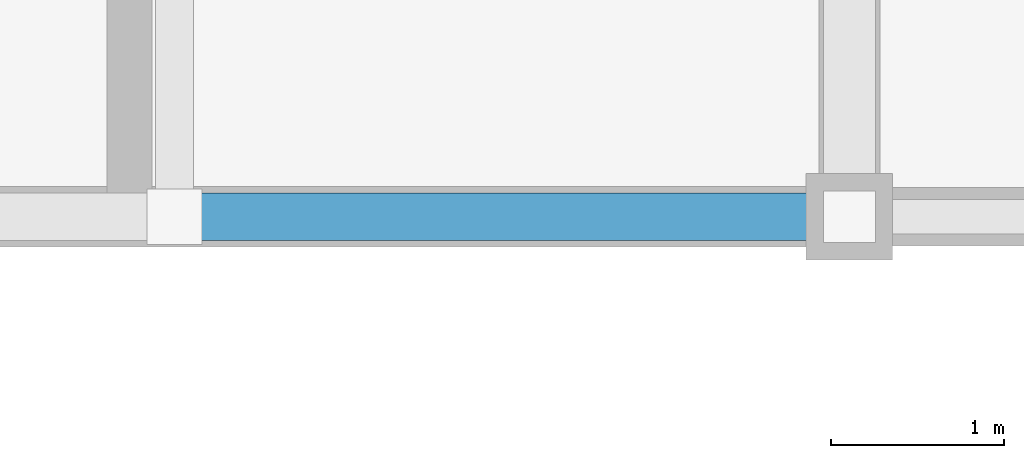
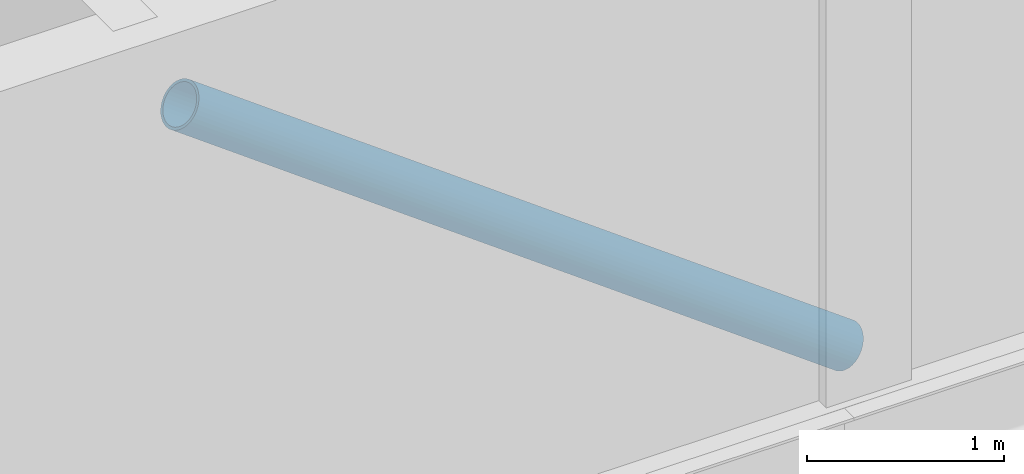
# One storey, part 15 of 51: 1 member.
"""IFC4 building model written with IfcOpenShell, lengths in metres."""

from ifc_helpers import new_model, si_unit, direction, frame, origin, origin_2d, place, context, subcontext, project, spatial, hollow_circle, extrude, material, material_profile, profile_set, type_object, element, save


model = new_model("IFC4")

# Units and contexts
model_context = context("Model", 3, precision=1e-05, world=origin(), true_north=direction((0.0, 1.0)))
body_context = subcontext(model_context, "Body", "Model", "MODEL_VIEW")
ifc_project = project(units=[si_unit("LENGTHUNIT", "METRE"), si_unit("AREAUNIT", "SQUARE_METRE"), si_unit("VOLUMEUNIT", "CUBIC_METRE"), si_unit("PLANEANGLEUNIT", "RADIAN"), si_unit("MASSUNIT", "GRAM", prefix="KILO")], contexts=[model_context])

# Site, building, storey
site_placement = place(None, origin())
site = spatial("IfcSite", under=ifc_project, at=site_placement, CompositionType="ELEMENT")
building_placement = place(site_placement, origin())
building = spatial("IfcBuilding", under=site, at=building_placement, Name="Vharandega Faculty of Natural Sciences", CompositionType="ELEMENT")
storey_placement = place(building_placement, frame((0.0, 0.0, 14.39990234375)))
storey = spatial("IfcBuildingStorey", under=building, at=storey_placement, Name="L03", CompositionType="ELEMENT", Elevation=14.39990234375)

# Member
ifc_material = material(Name="Steel S355", Category="steel")
ifc_material_profile = material_profile(ifc_material, hollow_circle(Radius=0.136474609375, WallThickness=0.01611328125, at=origin_2d()), Name="CHS 273x16")
ifc_profile_set = profile_set([ifc_material_profile], Name="Steel S355")
member_type = type_object("IfcMemberType", Name="Perimeter Chevron Brace CHS 273", PredefinedType="BRACE", material=ifc_profile_set)
member_placement = place(storey_placement, frame((122.60009765625, 64.0, 0.150146484375), z_axis=(-0.80642906835, 0.0, 0.591330836097), x_axis=(0.0, -1.0, 0.0)))
element("IfcMember", 1, at=member_placement, inside=storey, type_object=member_type, Name="Chevron Brace J L03-2", PredefinedType="BRACE", context=body_context, shape_type="SweptSolid", body=[
    extrude(hollow_circle(Radius=0.136474609375, WallThickness=0.01611328125, at=origin_2d()), origin(), (0.0, 0.0, 1.0), 4.83642578125),
])

save(model, "model.ifc")
